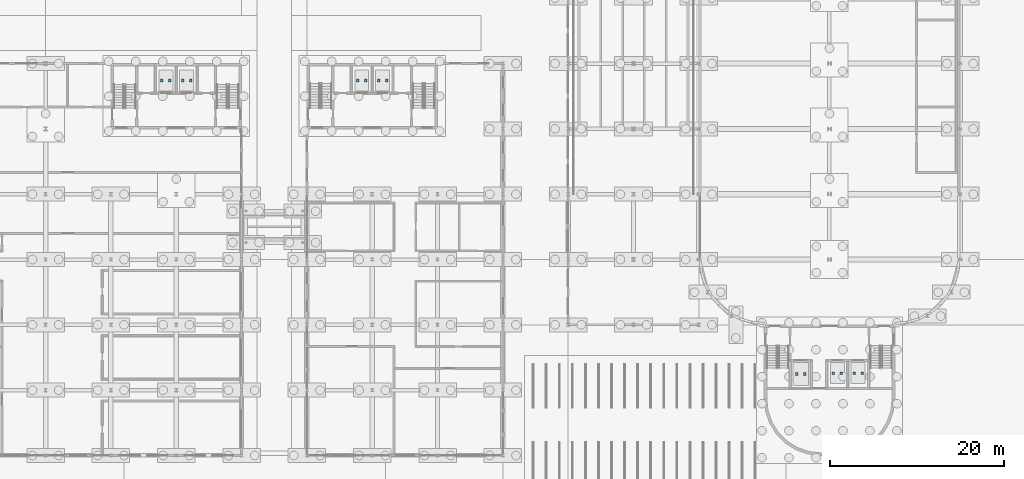
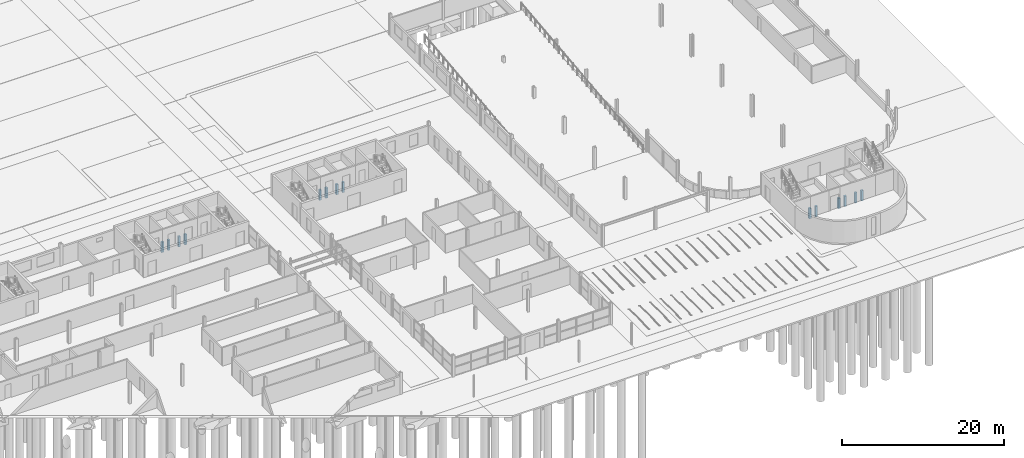
# One storey, part 99 of 130: 14 discrete accessories.
"""IFC4 building model written with IfcOpenShell, lengths in metres."""

from ifc_helpers import new_model, si_unit, direction, frame, origin, origin_2d, place, context, subcontext, project, spatial, rectangle, extrude, material, type_object, element, save


model = new_model("IFC4")

# Units and contexts
model_context = context("Model", 3, precision=1e-05, world=origin(), true_north=direction((0.0, 1.0)))
body_context = subcontext(model_context, "Body", "Model", "MODEL_VIEW")
ifc_project = project(units=[si_unit("LENGTHUNIT", "METRE"), si_unit("AREAUNIT", "SQUARE_METRE"), si_unit("VOLUMEUNIT", "CUBIC_METRE"), si_unit("PLANEANGLEUNIT", "RADIAN"), si_unit("MASSUNIT", "GRAM", prefix="KILO")], contexts=[model_context])

# Site, building, storey
site_placement = place(None, origin())
site = spatial("IfcSite", under=ifc_project, at=site_placement, CompositionType="ELEMENT")
building_placement = place(site_placement, origin())
building = spatial("IfcBuilding", under=site, at=building_placement, Name="Parallax Yard Mobility Hub", CompositionType="ELEMENT")
storey_placement = place(building_placement, origin())
storey = spatial("IfcBuildingStorey", under=building, at=storey_placement, Name="L00", CompositionType="ELEMENT", Elevation=0.0)

# Discrete accessories
ifc_material = material(Name="Steel ASTM A36", Category="steel")
discrete_accessory_type = type_object("IfcDiscreteAccessoryType", Name="Lift car buffer stand", PredefinedType="BRACKET", material=ifc_material)
for number, where, z_axis, x_axis, name in (
    (1, (213.75, 16.949951171875, -1.5), (0.0, 0.0, 1.0), (-1.0, 0.0, 0.0), "Lift LF10 buffer stand 1 in core C-S"),
    (2, (212.85009765625, 16.949951171875, -1.5), (0.0, 0.0, 1.0), (-1.0, 0.0, 0.0), "Lift LF10 buffer stand 2 in core C-S"),
    (3, (211.35009765625, 16.949951171875, -1.5), (0.0, 0.0, 1.0), (-1.0, 0.0, 0.0), "Lift LF11 buffer stand 1 in core C-S"),
    (4, (210.449951171875, 16.949951171875, -1.5), (0.0, 0.0, 1.0), (-1.0, 0.0, 0.0), "Lift LF11 buffer stand 2 in core C-S"),
    (5, (207.14990234375, 16.85009765625, -1.5), (0.0, 0.0, 1.0), (-1.0, 0.0, 0.0), "Lift LF12 buffer stand 1 in core C-S"),
    (6, (206.25, 16.85009765625, -1.5), (0.0, 0.0, 1.0), (-1.0, 0.0, 0.0), "Lift LF12 buffer stand 2 in core C-S"),
    (7, (133.35009765625, 50.550048828125, -1.5), (0.0, 0.0, 1.0), (1.0, 0.0, 0.0), "Lift LF15 buffer stand 1 in core C6-E"),
    (8, (134.25, 50.550048828125, -1.5), (0.0, 0.0, 1.0), (1.0, 0.0, 0.0), "Lift LF15 buffer stand 2 in core C6-E"),
    (9, (135.75, 50.550048828125, -1.5), (0.0, 0.0, 1.0), (1.0, 0.0, 0.0), "Lift LF16 buffer stand 1 in core C6-E"),
    (10, (136.64990234375, 50.550048828125, -1.5), (0.0, 0.0, 1.0), (1.0, 0.0, 0.0), "Lift LF16 buffer stand 2 in core C6-E"),
    (11, (155.85009765625, 50.550048828125, -1.5), (0.0, 0.0, 1.0), (1.0, 0.0, 0.0), "Lift LF17 buffer stand 1 in core C5"),
    (12, (156.75, 50.550048828125, -1.5), (0.0, 0.0, 1.0), (1.0, 0.0, 0.0), "Lift LF17 buffer stand 2 in core C5"),
    (13, (158.25, 50.550048828125, -1.5), (0.0, 0.0, 1.0), (1.0, 0.0, 0.0), "Lift LF18 buffer stand 1 in core C5"),
    (14, (159.14990234375, 50.550048828125, -1.5), (0.0, 0.0, 1.0), (1.0, 0.0, 0.0), "Lift LF18 buffer stand 2 in core C5"),
):
    element("IfcDiscreteAccessory", number, at=place(storey_placement, frame(where, z_axis=z_axis, x_axis=x_axis)), inside=storey, type_object=discrete_accessory_type, Name=name, PredefinedType="BRACKET", context=body_context, shape_type="SweptSolid", body=[
        extrude(rectangle(XDim=0.300048828125, YDim=0.300048828125, at=origin_2d()), origin(), (0.0, 0.0, 1.0), 1.550048828125),
    ])

save(model, "model.ifc")
